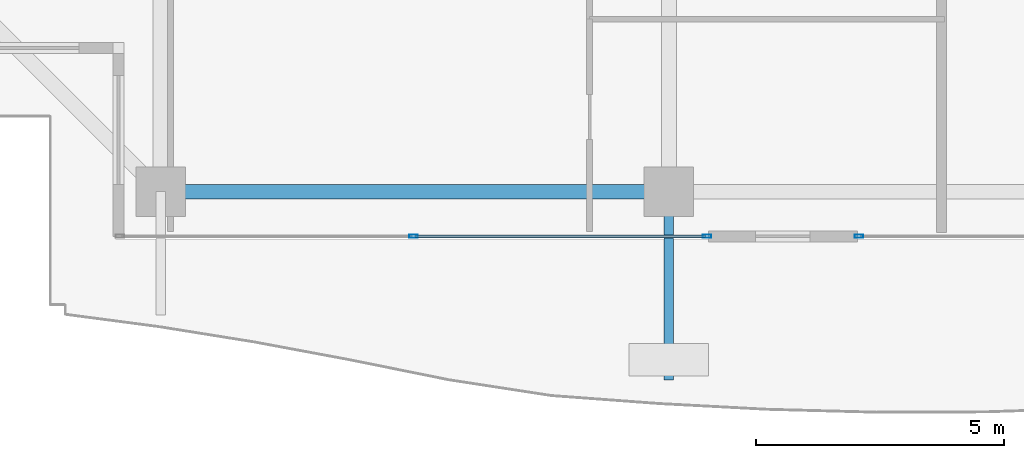
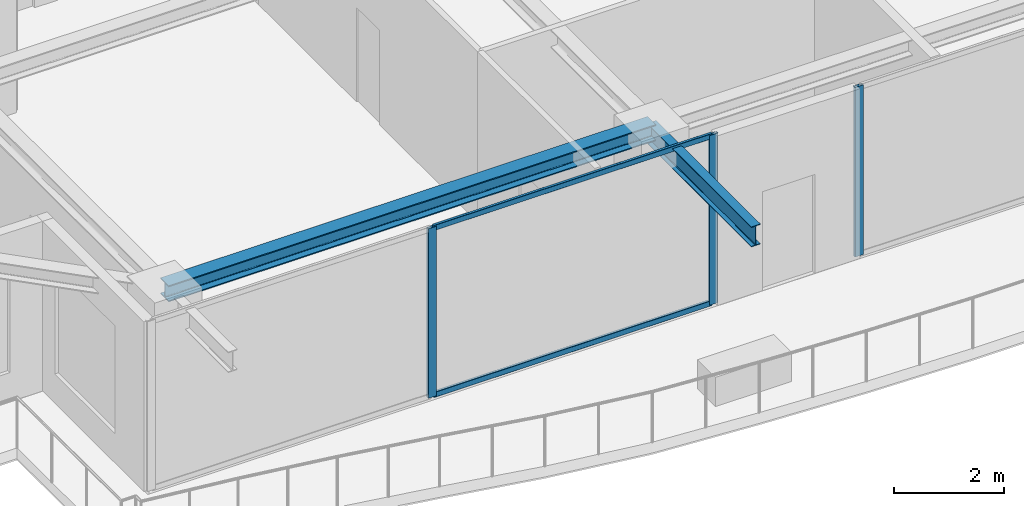
# One storey, part 4 of 38: 5 members, 2 beams, 2 elements without a shape of their own.
"""IFC4 building model written with IfcOpenShell, lengths in metres."""

import ifcopenshell
import ifcopenshell.guid

model = None  # the IFC model being written
_history = None  # IfcOwnerHistory: only IFC2X3 demands one
_inside = {}  # id of a spatial element -> (the spatial element, [elements in it])
_under = {}  # id of a project, library or spatial element -> (it, [spatial elements below it])
_declared = {}  # id of a project -> (the project, [libraries it declares])
_typed = {}  # id of a type object -> (the type object, [elements of that type])
_made_of = {}  # id of a material, layer set ... -> (it, [elements and type objects made of it])


def new_model(schema):
    """Start an empty IFC model of exactly this schema.

    Asked for "IFC4X3", IfcOpenShell would pick the latest addendum, in which some entities
    have other attributes; the version numbers below select the first issue.
    IFC2X3 requires an IfcOwnerHistory on every rooted entity: one is made here for all.
    """
    global model, _history
    if schema == "IFC4X3":
        model = ifcopenshell.file(schema_version=(4, 3, 0, 0))
    else:
        model = ifcopenshell.file(schema=schema)
    _inside.clear()
    _under.clear()
    _declared.clear()
    _typed.clear()
    _made_of.clear()
    _history = None
    if model.schema == "IFC2X3":
        org = make("IfcOrganization", Name="unknown")
        user = make(
            "IfcPersonAndOrganization",
            ThePerson=make("IfcPerson", FamilyName="unknown"),
            TheOrganization=org,
        )
        app = make(
            "IfcApplication",
            ApplicationDeveloper=org,
            Version="unknown",
            ApplicationFullName="unknown",
            ApplicationIdentifier="unknown",
        )
        _history = make(
            "IfcOwnerHistory",
            OwningUser=user,
            OwningApplication=app,
            ChangeAction="ADDED",
            CreationDate=0,
        )
    return model


def make(cls, **values):
    """One entity of the class cls with the attributes given. An attribute that is None is left unset."""
    return model.create_entity(
        cls, **{name: value for name, value in values.items() if value is not None}
    )


def rooted(cls, **values):
    """An entity with a GlobalId (a new one), such as an element, a storey or a relation."""
    return make(cls, GlobalId=ifcopenshell.guid.new(), OwnerHistory=_history, **values)


def si_unit(unit_type, name, prefix=None):
    """IfcSIUnit, for example si_unit("LENGTHUNIT", "METRE", prefix="MILLI")."""
    return make("IfcSIUnit", UnitType=unit_type, Prefix=prefix, Name=name)


def assignment(units):
    """IfcUnitAssignment: the units of a project."""
    return None if units is None else make("IfcUnitAssignment", Units=units)


def point(xyz):
    """IfcCartesianPoint."""
    return None if xyz is None else make("IfcCartesianPoint", Coordinates=xyz)


def direction(xyz):
    """IfcDirection."""
    return None if xyz is None else make("IfcDirection", DirectionRatios=xyz)


def frame(location, z_axis=None, x_axis=None):
    """IfcAxis2Placement3D, a coordinate frame: its origin and axes. An axis left out is left unset."""
    return make(
        "IfcAxis2Placement3D",
        Location=point(location),
        Axis=direction(z_axis),
        RefDirection=direction(x_axis),
    )


def frame_2d(location, x_axis=None):
    """IfcAxis2Placement2D, a coordinate frame in the plane: its origin and x axis."""
    return make(
        "IfcAxis2Placement2D", Location=point(location), RefDirection=direction(x_axis)
    )


def origin():
    """The frame at (0, 0, 0) with its axes left unset."""
    return frame((0.0, 0.0, 0.0))


def origin_2d():
    """The frame at (0, 0) in the plane with its x axis left unset."""
    return frame_2d((0.0, 0.0))


def place(relative_to, where):
    """IfcLocalPlacement: puts the frame where relative to a parent placement (None: the world)."""
    return make(
        "IfcLocalPlacement", PlacementRelTo=relative_to, RelativePlacement=where
    )


def context(
    kind, dimensions, precision=None, world=None, true_north=None, identifier=None
):
    """IfcGeometricRepresentationContext, for example the 3D "Model" context."""
    return make(
        "IfcGeometricRepresentationContext",
        ContextIdentifier=identifier,
        ContextType=kind,
        CoordinateSpaceDimension=dimensions,
        Precision=precision,
        WorldCoordinateSystem=world,
        TrueNorth=true_north,
    )


def subcontext(parent, identifier, kind, view, scale=None):
    """IfcGeometricRepresentationSubContext, for example "Body" below "Model"."""
    return make(
        "IfcGeometricRepresentationSubContext",
        ContextIdentifier=identifier,
        ContextType=kind,
        ParentContext=parent,
        TargetScale=scale,
        TargetView=view,
    )


def project(units=None, contexts=None):
    """IfcProject with its units and contexts."""
    return rooted(
        "IfcProject",
        Name="project",
        RepresentationContexts=contexts,
        UnitsInContext=assignment(units),
    )


def spatial(cls, under=None, at=None, **own):
    """A site, building, storey or space (cls), placed at a placement, below another one or the project."""
    s = rooted(cls, ObjectPlacement=at, **own)
    if under is not None:
        _under.setdefault(under.id(), (under, []))[1].append(s)
    return s


def profile(cls, at=None, kind="AREA", **sizes):
    """A parametric profile (cls). Its sizes go by their IFC names, for example OverallWidth=200.0."""
    return make(cls, ProfileType=kind, Position=at, **sizes)


def hollow_rectangle(**sizes):
    """IfcRectangleHollowProfileDef."""
    return profile("IfcRectangleHollowProfileDef", **sizes)


def i_section(**sizes):
    """IfcIShapeProfileDef."""
    return profile("IfcIShapeProfileDef", **sizes)


def extrude(swept, where, along, depth):
    """IfcExtrudedAreaSolid: the profile swept, set in the frame where, extruded along a direction by depth."""
    return make(
        "IfcExtrudedAreaSolid",
        SweptArea=swept,
        Position=where,
        ExtrudedDirection=direction(along),
        Depth=depth,
    )


def shape(context_of_items, identifier, shape_type, items):
    """IfcShapeRepresentation: the items that make up one representation, for example the "Body"."""
    return make(
        "IfcShapeRepresentation",
        ContextOfItems=context_of_items,
        RepresentationIdentifier=identifier,
        RepresentationType=shape_type,
        Items=items,
    )


def source(mapping_origin, context_of_items, identifier, shape_type, items):
    """IfcRepresentationMap: a shape defined once, which mapped items show again and again."""
    return make(
        "IfcRepresentationMap",
        MappingOrigin=mapping_origin,
        MappedRepresentation=shape(context_of_items, identifier, shape_type, items),
    )


def transform(
    local_origin,
    x_axis=None,
    y_axis=None,
    z_axis=None,
    scale=None,
    scale2=None,
    scale3=None,
    uniform=True,
):
    """IfcCartesianTransformationOperator3D, or its non-uniform kind. x_axis, y_axis, z_axis: its Axis1, 2, 3."""
    if uniform:
        return make(
            "IfcCartesianTransformationOperator3D",
            Axis1=direction(x_axis),
            Axis2=direction(y_axis),
            LocalOrigin=point(local_origin),
            Scale=scale,
            Axis3=direction(z_axis),
        )
    return make(
        "IfcCartesianTransformationOperator3DnonUniform",
        Axis1=direction(x_axis),
        Axis2=direction(y_axis),
        LocalOrigin=point(local_origin),
        Scale=scale,
        Axis3=direction(z_axis),
        Scale2=scale2,
        Scale3=scale3,
    )


def mapped(mapping_source, mapping_target):
    """IfcMappedItem: shows the shape of a source again, moved by a transform."""
    return make(
        "IfcMappedItem", MappingSource=mapping_source, MappingTarget=mapping_target
    )


def material(Name=None, Category=None):
    """IfcMaterial."""
    return make("IfcMaterial", Name=Name, Category=Category)


def layer(
    of_material, thickness, ventilated=None, Name=None, Category=None, Priority=None
):
    """IfcMaterialLayer: one layer of a wall or slab, of a material (None: an air gap)."""
    return make(
        "IfcMaterialLayer",
        Material=of_material,
        LayerThickness=thickness,
        IsVentilated=ventilated,
        Name=Name,
        Category=Category,
        Priority=Priority,
    )


def layer_set(layers, Name=None):
    """IfcMaterialLayerSet."""
    return make("IfcMaterialLayerSet", MaterialLayers=layers, LayerSetName=Name)


def material_profile(
    of_material, cross_section, Name=None, Category=None, Priority=None
):
    """IfcMaterialProfile: a cross section and its material."""
    return make(
        "IfcMaterialProfile",
        Name=Name,
        Material=of_material,
        Profile=cross_section,
        Priority=Priority,
        Category=Category,
    )


def profile_set(profiles, Name=None, composite=None):
    """IfcMaterialProfileSet."""
    return make(
        "IfcMaterialProfileSet",
        Name=Name,
        MaterialProfiles=profiles,
        CompositeProfile=composite,
    )


def made_of(thing, what):
    """Note that an element or type object is made of a material, layer set ...; save() writes the relation."""
    if what is not None:
        _made_of.setdefault(what.id(), (what, []))[1].append(thing)
    return thing


def type_object(cls, material=None, **own):
    """A type object (cls), such as IfcWallType, which elements share."""
    return made_of(rooted(cls, **own), material)


def element(
    cls,
    number,
    at=None,
    inside=None,
    cuts=None,
    type_object=None,
    material=None,
    context=None,
    identifier="Body",
    shape_type=None,
    held_by="IfcProductDefinitionShape",
    body=None,
    shapes=None,
    **own,
):
    """One element of the class cls, such as IfcWall. Its Tag is "e" and its number.

    at: its placement. inside: the storey or other place that contains it. cuts: it is an
    opening in that element (IfcRelVoidsElement). A single representation is given by context,
    identifier, shape_type and body (its items); several are given by shapes. held_by: the class
    of the entity that holds the representations. save() writes the other relations.
    """
    e = rooted(cls, Tag="e%d" % number, ObjectPlacement=at, **own)
    if body is not None:
        shapes = [shape(context, identifier, shape_type, body)]
    if shapes is not None:
        e.Representation = make(held_by, Representations=shapes)
    if inside is not None:
        _inside.setdefault(inside.id(), (inside, []))[1].append(e)
    if cuts is not None:
        rooted(
            "IfcRelVoidsElement", RelatingBuildingElement=cuts, RelatedOpeningElement=e
        )
    if type_object is not None:
        _typed.setdefault(type_object.id(), (type_object, []))[1].append(e)
    return made_of(e, material)


def aggregate(whole, parts):
    """IfcRelAggregates: a whole, such as a stair, and the parts it consists of."""
    return rooted("IfcRelAggregates", RelatingObject=whole, RelatedObjects=parts)


def save(model, path):
    """Write the relations noted so far, then the file.

    IfcRelAggregates (storeys below a building ...), IfcRelContainedInSpatialStructure (elements
    in a storey), IfcRelDefinesByType, IfcRelAssociatesMaterial and IfcRelDeclares: one each for
    every whole, place, type object, material and project.
    """
    for whole, parts in _under.values():
        aggregate(whole, parts)
    for where, things in _inside.values():
        rooted(
            "IfcRelContainedInSpatialStructure",
            RelatedElements=things,
            RelatingStructure=where,
        )
    for kind, things in _typed.values():
        rooted("IfcRelDefinesByType", RelatedObjects=things, RelatingType=kind)
    for what, things in _made_of.values():
        rooted("IfcRelAssociatesMaterial", RelatedObjects=things, RelatingMaterial=what)
    for by, libraries in _declared.values():
        rooted("IfcRelDeclares", RelatingContext=by, RelatedDefinitions=libraries)
    model.write(path)


model = new_model("IFC4")

# Units and contexts
model_context = context("Model", 3, precision=1e-05, world=origin(), true_north=direction((0.0, 1.0)))
body_context = subcontext(model_context, "Body", "Model", "MODEL_VIEW")
ifc_project = project(units=[si_unit("LENGTHUNIT", "METRE"), si_unit("AREAUNIT", "SQUARE_METRE"), si_unit("VOLUMEUNIT", "CUBIC_METRE"), si_unit("PLANEANGLEUNIT", "RADIAN"), si_unit("MASSUNIT", "GRAM", prefix="KILO")], contexts=[model_context])

# Site, building, storey
site_placement = place(None, origin())
site = spatial("IfcSite", under=ifc_project, at=site_placement, CompositionType="ELEMENT")
building_placement = place(site_placement, origin())
building = spatial("IfcBuilding", under=site, at=building_placement, Name="Serunith Strait Residences", CompositionType="ELEMENT")
storey_placement = place(building_placement, frame((0.0, 0.0, 321.800048828125)))
storey = spatial("IfcBuildingStorey", under=building, at=storey_placement, Name="L80", CompositionType="ELEMENT", Elevation=321.800048828125)

# Beams
ifc_material_1 = material(Name="Steel S355J2", Category="steel")
ifc_material_profile_1 = material_profile(ifc_material_1, i_section(OverallWidth=0.300048828125, OverallDepth=0.360107421875, WebThickness=0.012451171875, FlangeThickness=0.0224609375, FilletRadius=0.027099609375, at=origin_2d()), Name="HEB 360")
ifc_profile_set_1 = profile_set([ifc_material_profile_1], Name="Steel S355J2")
beam_type_1 = type_object("IfcBeamType", Name="BM-HEB360", PredefinedType="BEAM", material=ifc_profile_set_1)
shared_shape_1 = source(origin(), body_context, "Body", "SweptSolid", [
    extrude(i_section(OverallWidth=0.300048828125, OverallDepth=0.360107421875, WebThickness=0.012451171875, FlangeThickness=0.0224609375, FilletRadius=0.027099609375, at=origin_2d()), origin(), (0.0, 0.0, 1.0), 10.25),
])
beam_1_placement = place(storey_placement, frame((17.64990234375, 3.300048828125, 3.60693359375), z_axis=(1.0, 0.0, 0.0), x_axis=(0.0, 1.0, 0.0)))
element("IfcBeam", 1, at=beam_1_placement, inside=storey, type_object=beam_type_1, Name="L80 Perimeter Ring Beam 01", PredefinedType="BEAM", context=body_context, shape_type="MappedRepresentation", body=[
    mapped(shared_shape_1, transform((0.0, 0.0, 0.0), scale=1.0)),
])
ifc_material_profile_2 = material_profile(ifc_material_1, i_section(OverallWidth=0.18994140625, OverallDepth=0.449951171875, WebThickness=0.009521484375, FlangeThickness=0.0146484375, FilletRadius=0.02099609375, at=origin_2d()), Name="IPE 450")
ifc_profile_set_2 = profile_set([ifc_material_profile_2], Name="Steel S355J2")
beam_type_2 = type_object("IfcBeamType", Name="BM-IPE450", PredefinedType="JOIST", material=ifc_profile_set_2)
shared_shape_2 = source(origin(), body_context, "Body", "SweptSolid", [
    extrude(i_section(OverallWidth=0.18994140625, OverallDepth=0.449951171875, WebThickness=0.009521484375, FlangeThickness=0.0146484375, FilletRadius=0.02099609375, at=origin_2d()), origin(), (0.0, 0.0, 1.0), 3.800048828125),
])
beam_2_placement = place(storey_placement, frame((27.89990234375, 3.300048828125, 3.531982421875), z_axis=(0.0, -1.0, 0.0), x_axis=(1.0, 0.0, 0.0)))
element("IfcBeam", 2, at=beam_2_placement, inside=storey, type_object=beam_type_2, Name="L81 Cantilevered Balcony Rib TC-S2", PredefinedType="JOIST", context=body_context, shape_type="MappedRepresentation", body=[
    mapped(shared_shape_2, transform((0.0, 0.0, 0.0), scale=1.0)),
])

# Curtain wall, members
ifc_material_2 = material(Name="Brushed Stainless-Silver Aluminium", Category="aluminium")
ifc_layer = layer(ifc_material_2, 0.199951171875, Name="Brushed Stainless-Silver Aluminium")
ifc_layer_set = layer_set([ifc_layer], Name="Brushed Stainless-Silver Aluminium")
curtain_wall_type = type_object("IfcCurtainWallType", Name="CW-SYS5", PredefinedType="NOTDEFINED", material=ifc_layer_set)
curtain_wall_1_placement = place(storey_placement, origin())
curtain_wall_1 = element("IfcCurtainWall", 3, at=curtain_wall_1_placement, inside=storey, type_object=curtain_wall_type, Name="L80 S Unitised Fritted Curtain Wall", PredefinedType="NOTDEFINED")
ifc_material_profile_3 = material_profile(ifc_material_2, hollow_rectangle(XDim=0.06494140625, YDim=0.179931640625, WallThickness=0.00341796875, InnerFilletRadius=0.00537109375, OuterFilletRadius=0.0087890625, at=origin_2d()), Name="ALU 180x65x3.5")
ifc_profile_set_3 = profile_set([ifc_material_profile_3], Name="Brushed Stainless-Silver Aluminium")
member_type_1 = type_object("IfcMemberType", Name="CW-SYS5-MULL", PredefinedType="MULLION", material=ifc_profile_set_3)
shared_shape_3 = source(origin(), body_context, "Body", "SweptSolid", [
    extrude(hollow_rectangle(XDim=0.06494140625, YDim=0.179931640625, WallThickness=0.00341796875, InnerFilletRadius=0.00537109375, OuterFilletRadius=0.0087890625, at=origin_2d()), origin(), (0.0, 0.0, 1.0), 3.77490234375),
])
member_1_placement = place(storey_placement, frame((22.75, 2.39990234375, 0.0), z_axis=(0.0, 0.0, 1.0), x_axis=(0.0, 1.0, 0.0)))
member_1 = element("IfcMember", 4, at=member_1_placement, type_object=member_type_1, Name="CW-5 mullion 2", PredefinedType="MULLION", context=body_context, shape_type="MappedRepresentation", body=[
    mapped(shared_shape_3, transform((0.0, 0.0, 0.0), scale=1.0)),
])
member_2_placement = place(storey_placement, frame((28.66748046875, 2.39990234375, 0.0), z_axis=(0.0, 0.0, 1.0), x_axis=(0.0, 1.0, 0.0)))
member_2 = element("IfcMember", 5, at=member_2_placement, type_object=member_type_1, Name="CW-5 mullion 3", PredefinedType="MULLION", context=body_context, shape_type="MappedRepresentation", body=[
    mapped(shared_shape_3, transform((0.0, 0.0, 0.0), scale=1.0)),
])

# Curtain wall, member
curtain_wall_2_placement = place(storey_placement, origin())
curtain_wall_2 = element("IfcCurtainWall", 6, at=curtain_wall_2_placement, inside=storey, type_object=curtain_wall_type, Name="L80 S Unitised Fritted Curtain Wall", PredefinedType="NOTDEFINED")
member_3_placement = place(storey_placement, frame((31.732421875, 2.39990234375, 0.0), z_axis=(0.0, 0.0, 1.0), x_axis=(0.0, 1.0, 0.0)))
member_3 = element("IfcMember", 7, at=member_3_placement, type_object=member_type_1, Name="CW-5 mullion 1", PredefinedType="MULLION", context=body_context, shape_type="MappedRepresentation", body=[
    mapped(shared_shape_3, transform((0.0, 0.0, 0.0), scale=1.0)),
])
aggregate(curtain_wall_2, [member_3])

# Member
ifc_material_profile_4 = material_profile(ifc_material_2, hollow_rectangle(XDim=0.06005859375, YDim=0.1201171875, WallThickness=0.00341796875, InnerFilletRadius=0.00537109375, OuterFilletRadius=0.0087890625, at=origin_2d()), Name="ALU 120x60x3.5")
ifc_profile_set_4 = profile_set([ifc_material_profile_4], Name="Brushed Stainless-Silver Aluminium")
member_type_2 = type_object("IfcMemberType", Name="CW-SYS5-TRAN", PredefinedType="USERDEFINED", material=ifc_profile_set_4)
shared_shape_4 = source(origin(), body_context, "Body", "SweptSolid", [
    extrude(hollow_rectangle(XDim=0.06005859375, YDim=0.1201171875, WallThickness=0.00341796875, InnerFilletRadius=0.00537109375, OuterFilletRadius=0.0087890625, at=origin_2d()), origin(), (0.0, 0.0, 1.0), 5.8525390625),
])
member_4_placement = place(storey_placement, frame((22.782470703125, 2.39990234375, 0.030029296875), z_axis=(1.0, 0.0, 0.0), x_axis=(0.0, 1.0, 0.0)))
member_4 = element("IfcMember", 8, at=member_4_placement, type_object=member_type_2, Name="CW-5 transom 2.1", ObjectType="TRANSOM", PredefinedType="USERDEFINED", context=body_context, shape_type="MappedRepresentation", body=[
    mapped(shared_shape_4, transform((0.0, 0.0, 0.0), scale=1.0)),
])

member_5_placement = place(storey_placement, frame((22.782470703125, 2.39990234375, 3.744873046875), z_axis=(1.0, 0.0, 0.0), x_axis=(0.0, 1.0, 0.0)))
member_5 = element("IfcMember", 9, at=member_5_placement, type_object=member_type_2, Name="CW-5 transom 2.2", ObjectType="TRANSOM", PredefinedType="USERDEFINED", context=body_context, shape_type="MappedRepresentation", body=[
    mapped(shared_shape_4, transform((0.0, 0.0, 0.0), scale=1.0)),
])

aggregate(curtain_wall_1, [member_1, member_2, member_4, member_5])

save(model, "model.ifc")
